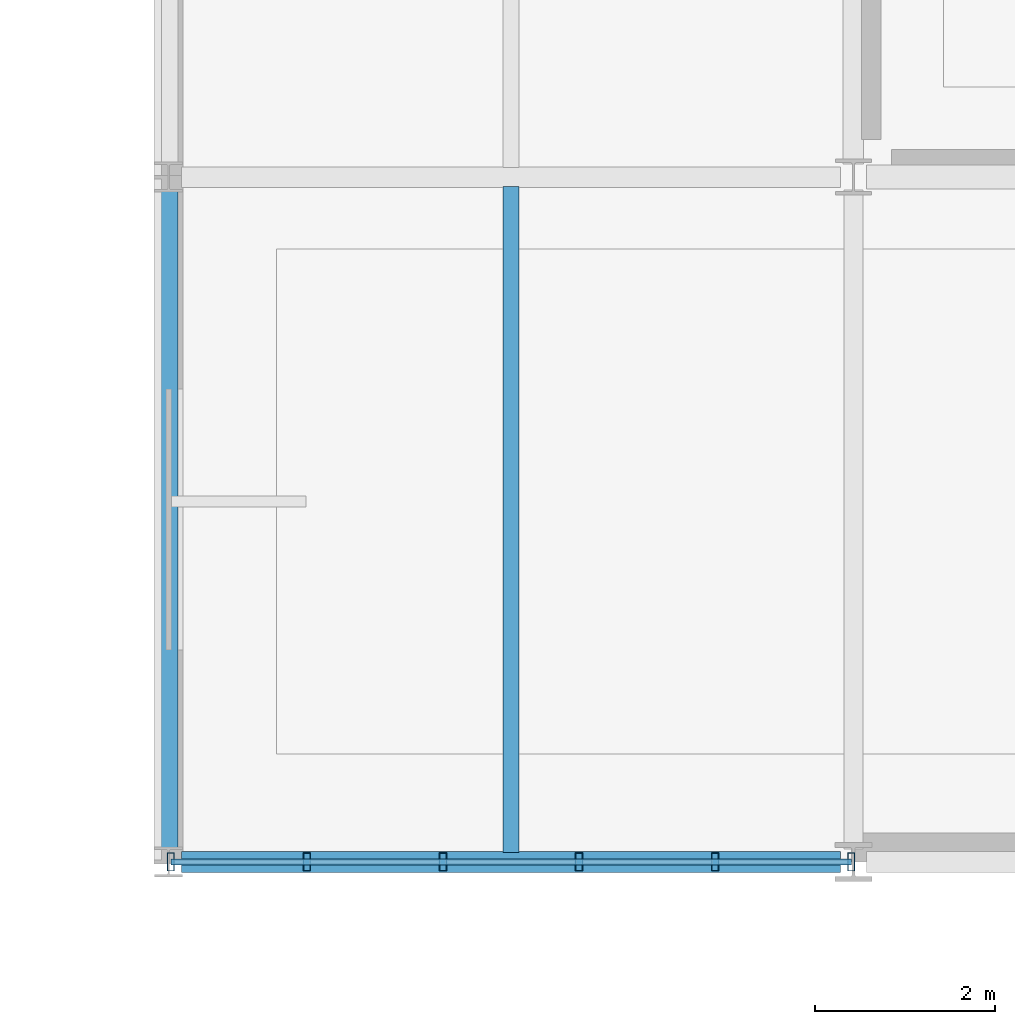
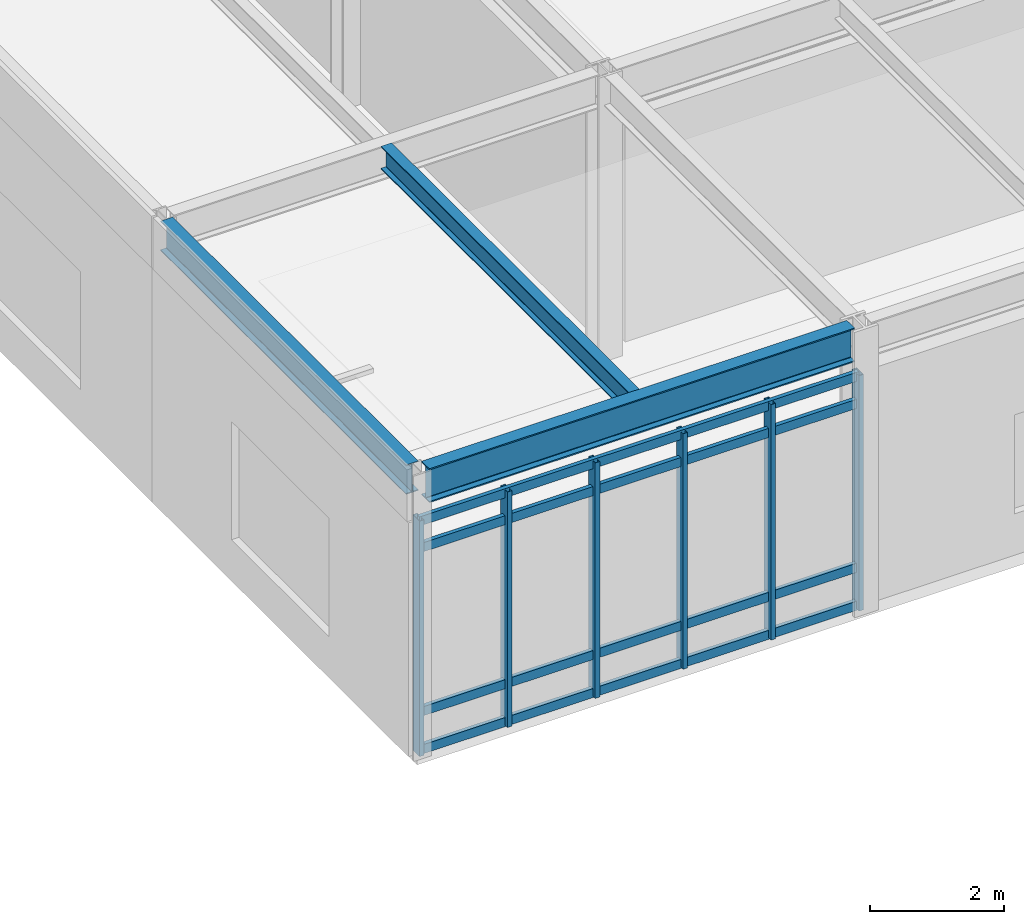
# One storey, part 38 of 94: 10 members, 3 beams, 1 element without a shape of its own.
"""IFC4 building model written with IfcOpenShell, lengths in metres."""

from ifc_helpers import new_model, si_unit, direction, frame, origin, origin_2d, place, context, subcontext, project, spatial, hollow_rectangle, i_section, extrude, material, material_profile, profile_set, type_object, element, aggregate, save


model = new_model("IFC4")

# Units and contexts
model_context = context("Model", 3, precision=1e-05, world=origin(), true_north=direction((0.0, 1.0)))
body_context = subcontext(model_context, "Body", "Model", "MODEL_VIEW")
ifc_project = project(units=[si_unit("LENGTHUNIT", "METRE"), si_unit("AREAUNIT", "SQUARE_METRE"), si_unit("VOLUMEUNIT", "CUBIC_METRE"), si_unit("PLANEANGLEUNIT", "RADIAN"), si_unit("MASSUNIT", "GRAM", prefix="KILO")], contexts=[model_context])

# Site, building, storey
site_placement = place(None, origin())
site = spatial("IfcSite", under=ifc_project, at=site_placement, CompositionType="ELEMENT")
building_placement = place(site_placement, origin())
building = spatial("IfcBuilding", under=site, at=building_placement, Name="Zulena Civic Courthouse", CompositionType="ELEMENT")
storey_placement = place(building_placement, frame((0.0, 0.0, 5.39990234375)))
storey = spatial("IfcBuildingStorey", under=building, at=storey_placement, Name="L01", CompositionType="ELEMENT", Elevation=5.39990234375)

# Curtain wall, members
ifc_material_1 = material(Name="Double-silver low-E laminated solar-control glass", Category="glass")
curtain_wall_type = type_object("IfcCurtainWallType", Name="CW_7552x4280", PredefinedType="USERDEFINED", material=ifc_material_1)
curtain_wall_placement = place(storey_placement, origin())
curtain_wall = element("IfcCurtainWall", 1, at=curtain_wall_placement, inside=storey, type_object=curtain_wall_type, Name="cw:V1:L01:3:5", ObjectType="UNITISED CURTAIN WALL", PredefinedType="USERDEFINED")
ifc_material_2 = material(Name="Bronze anodised thermally broken aluminium AA6063-T6", Category="aluminium")
ifc_material_profile_1 = material_profile(ifc_material_2, hollow_rectangle(XDim=0.080078125, YDim=0.199951171875, WallThickness=0.0048828125, at=origin_2d()), Name="CWM200X80X5")
ifc_profile_set_1 = profile_set([ifc_material_profile_1], Name="Bronze anodised thermally broken aluminium AA6063-T6")
member_type_1 = type_object("IfcMemberType", Name="CWMullion_200x80", PredefinedType="MULLION", material=ifc_profile_set_1)
member_1_placement = place(storey_placement, frame((131.97607421875, 0.0, 0.0), z_axis=(0.0, 0.0, 1.0), x_axis=(1.0, 0.0, 0.0)))
member_1 = element("IfcMember", 2, at=member_1_placement, type_object=member_type_1, Name="cw:V1:L01:3:5:mull:0", PredefinedType="MULLION", context=body_context, shape_type="SweptSolid", body=[
    extrude(hollow_rectangle(XDim=0.080078125, YDim=0.199951171875, WallThickness=0.0048828125, at=origin_2d()), origin(), (0.0, 0.0, 1.0), 4.280029296875),
])
member_2_placement = place(storey_placement, frame((130.465576171875, 0.0, 0.0), z_axis=(0.0, 0.0, 1.0), x_axis=(1.0, 0.0, 0.0)))
member_2 = element("IfcMember", 3, at=member_2_placement, type_object=member_type_1, Name="cw:V1:L01:3:5:mull:1", PredefinedType="MULLION", context=body_context, shape_type="SweptSolid", body=[
    extrude(hollow_rectangle(XDim=0.080078125, YDim=0.199951171875, WallThickness=0.0048828125, at=origin_2d()), origin(), (0.0, 0.0, 1.0), 4.280029296875),
])
member_3_placement = place(storey_placement, frame((128.955078125, 0.0, 0.0), z_axis=(0.0, 0.0, 1.0), x_axis=(1.0, 0.0, 0.0)))
member_3 = element("IfcMember", 4, at=member_3_placement, type_object=member_type_1, Name="cw:V1:L01:3:5:mull:2", PredefinedType="MULLION", context=body_context, shape_type="SweptSolid", body=[
    extrude(hollow_rectangle(XDim=0.080078125, YDim=0.199951171875, WallThickness=0.0048828125, at=origin_2d()), origin(), (0.0, 0.0, 1.0), 4.280029296875),
])
member_4_placement = place(storey_placement, frame((127.44482421875, 0.0, 0.0), z_axis=(0.0, 0.0, 1.0), x_axis=(1.0, 0.0, 0.0)))
member_4 = element("IfcMember", 5, at=member_4_placement, type_object=member_type_1, Name="cw:V1:L01:3:5:mull:3", PredefinedType="MULLION", context=body_context, shape_type="SweptSolid", body=[
    extrude(hollow_rectangle(XDim=0.080078125, YDim=0.199951171875, WallThickness=0.0048828125, at=origin_2d()), origin(), (0.0, 0.0, 1.0), 4.280029296875),
])
member_5_placement = place(storey_placement, frame((125.934326171875, 0.0, 0.0), z_axis=(0.0, 0.0, 1.0), x_axis=(1.0, 0.0, 0.0)))
member_5 = element("IfcMember", 6, at=member_5_placement, type_object=member_type_1, Name="cw:V1:L01:3:5:mull:4", PredefinedType="MULLION", context=body_context, shape_type="SweptSolid", body=[
    extrude(hollow_rectangle(XDim=0.080078125, YDim=0.199951171875, WallThickness=0.0048828125, at=origin_2d()), origin(), (0.0, 0.0, 1.0), 4.280029296875),
])
member_6_placement = place(storey_placement, frame((124.424072265625, 0.0, 0.0), z_axis=(0.0, 0.0, 1.0), x_axis=(1.0, 0.0, 0.0)))
member_6 = element("IfcMember", 7, at=member_6_placement, type_object=member_type_1, Name="cw:V1:L01:3:5:mull:5", PredefinedType="MULLION", context=body_context, shape_type="SweptSolid", body=[
    extrude(hollow_rectangle(XDim=0.080078125, YDim=0.199951171875, WallThickness=0.0048828125, at=origin_2d()), origin(), (0.0, 0.0, 1.0), 4.280029296875),
])
ifc_material_profile_2 = material_profile(ifc_material_2, hollow_rectangle(XDim=0.070068359375, YDim=0.1650390625, WallThickness=0.00390625, at=origin_2d()), Name="CWT165X70X4")
ifc_profile_set_2 = profile_set([ifc_material_profile_2], Name="Bronze anodised thermally broken aluminium AA6063-T6")
member_type_2 = type_object("IfcMemberType", Name="CWTransom_165x70", PredefinedType="USERDEFINED", material=ifc_profile_set_2)
member_7_placement = place(storey_placement, frame((131.97607421875, 0.0, 0.06005859375), z_axis=(-1.0, 0.0, 0.0), x_axis=(0.0, -1.0, 0.0)))
member_7 = element("IfcMember", 8, at=member_7_placement, type_object=member_type_2, Name="cw:V1:L01:3:5:tran:0", ObjectType="TRANSOM", PredefinedType="USERDEFINED", context=body_context, shape_type="SweptSolid", body=[
    extrude(hollow_rectangle(XDim=0.070068359375, YDim=0.1650390625, WallThickness=0.00390625, at=origin_2d()), origin(), (0.0, 0.0, 1.0), 7.552001953125),
])
member_8_placement = place(storey_placement, frame((131.97607421875, 0.0, 0.75), z_axis=(-1.0, 0.0, 0.0), x_axis=(0.0, -1.0, 0.0)))
member_8 = element("IfcMember", 9, at=member_8_placement, type_object=member_type_2, Name="cw:V1:L01:3:5:tran:1", ObjectType="TRANSOM", PredefinedType="USERDEFINED", context=body_context, shape_type="SweptSolid", body=[
    extrude(hollow_rectangle(XDim=0.070068359375, YDim=0.1650390625, WallThickness=0.00390625, at=origin_2d()), origin(), (0.0, 0.0, 1.0), 7.552001953125),
])
member_9_placement = place(storey_placement, frame((131.97607421875, 0.0, 3.72998046875), z_axis=(-1.0, 0.0, 0.0), x_axis=(0.0, -1.0, 0.0)))
member_9 = element("IfcMember", 10, at=member_9_placement, type_object=member_type_2, Name="cw:V1:L01:3:5:tran:2", ObjectType="TRANSOM", PredefinedType="USERDEFINED", context=body_context, shape_type="SweptSolid", body=[
    extrude(hollow_rectangle(XDim=0.070068359375, YDim=0.1650390625, WallThickness=0.00390625, at=origin_2d()), origin(), (0.0, 0.0, 1.0), 7.552001953125),
])
member_10_placement = place(storey_placement, frame((131.97607421875, 0.0, 4.22021484375), z_axis=(-1.0, 0.0, 0.0), x_axis=(0.0, -1.0, 0.0)))
member_10 = element("IfcMember", 11, at=member_10_placement, type_object=member_type_2, Name="cw:V1:L01:3:5:tran:3", ObjectType="TRANSOM", PredefinedType="USERDEFINED", context=body_context, shape_type="SweptSolid", body=[
    extrude(hollow_rectangle(XDim=0.070068359375, YDim=0.1650390625, WallThickness=0.00390625, at=origin_2d()), origin(), (0.0, 0.0, 1.0), 7.552001953125),
])
aggregate(curtain_wall, [member_1, member_2, member_3, member_4, member_5, member_6, member_7, member_8, member_9, member_10])

# Beams
ifc_material_3 = material(Name="Steel ASTM A992 Grade 50", Category="steel")
ifc_material_profile_3 = material_profile(ifc_material_3, i_section(OverallWidth=0.180908203125, OverallDepth=0.4169921875, WebThickness=0.010986328125, FlangeThickness=0.018310546875, FilletRadius=0.01025390625, at=origin_2d()), Name="W16X57")
ifc_profile_set_3 = profile_set([ifc_material_profile_3], Name="Steel ASTM A992 Grade 50")
beam_type_1 = type_object("IfcBeamType", Name="Joist_W16X57", PredefinedType="JOIST", material=ifc_profile_set_3)
beam_1_placement = place(storey_placement, frame((128.199951171875, 0.10498046875, 4.9765625), z_axis=(0.0, 1.0, 0.0), x_axis=(-1.0, 0.0, 0.0)))
element("IfcBeam", 12, at=beam_1_placement, inside=storey, type_object=beam_type_1, Name="joist:V1:L01:128.20:0.0_7.6", PredefinedType="JOIST", context=body_context, shape_type="SweptSolid", body=[
    extrude(i_section(OverallWidth=0.180908203125, OverallDepth=0.4169921875, WebThickness=0.010986328125, FlangeThickness=0.018310546875, FilletRadius=0.01025390625, at=origin_2d()), origin(), (0.0, 0.0, 1.0), 7.39013671875),
])
ifc_material_profile_4 = material_profile(ifc_material_3, i_section(OverallWidth=0.2099609375, OverallDepth=0.537109375, WebThickness=0.010986328125, FlangeThickness=0.017333984375, FilletRadius=0.0126953125, at=origin_2d()), Name="W21X68")
ifc_profile_set_4 = profile_set([ifc_material_profile_4], Name="Steel ASTM A992 Grade 50")
beam_type_2 = type_object("IfcBeamType", Name="Spandrel_W21X68", PredefinedType="SPANDREL", material=ifc_profile_set_4)
beam_2_placement = place(storey_placement, frame((124.39990234375, 0.14501953125, 4.91650390625), z_axis=(0.0, 1.0, 0.0), x_axis=(-1.0, 0.0, 0.0)))
element("IfcBeam", 13, at=beam_2_placement, inside=storey, type_object=beam_type_2, Name="beam:Y:V1:L01:124.4:0.0_7.6", PredefinedType="SPANDREL", context=body_context, shape_type="SweptSolid", body=[
    extrude(i_section(OverallWidth=0.2099609375, OverallDepth=0.537109375, WebThickness=0.010986328125, FlangeThickness=0.017333984375, FilletRadius=0.0126953125, at=origin_2d()), origin(), (0.0, 0.0, 1.0), 7.31005859375),
])
ifc_material_profile_5 = material_profile(ifc_material_3, i_section(OverallWidth=0.22998046875, OverallDepth=0.616943359375, WebThickness=0.01318359375, FlangeThickness=0.022216796875, FilletRadius=0.0126953125, at=origin_2d()), Name="W24X94")
ifc_profile_set_5 = profile_set([ifc_material_profile_5], Name="Steel ASTM A992 Grade 50")
beam_type_3 = type_object("IfcBeamType", Name="Spandrel_W24X94", PredefinedType="SPANDREL", material=ifc_profile_set_5)
beam_3_placement = place(storey_placement, frame((124.544921875, 0.0, 4.876708984375), z_axis=(1.0, 0.0, 0.0), x_axis=(0.0, 1.0, 0.0)))
element("IfcBeam", 14, at=beam_3_placement, inside=storey, type_object=beam_type_3, Name="beam:X:V1:L01:0.0:124.4_132.0", PredefinedType="SPANDREL", context=body_context, shape_type="SweptSolid", body=[
    extrude(i_section(OverallWidth=0.22998046875, OverallDepth=0.616943359375, WebThickness=0.01318359375, FlangeThickness=0.022216796875, FilletRadius=0.0126953125, at=origin_2d()), origin(), (0.0, 0.0, 1.0), 7.31005859375),
])

save(model, "model.ifc")
